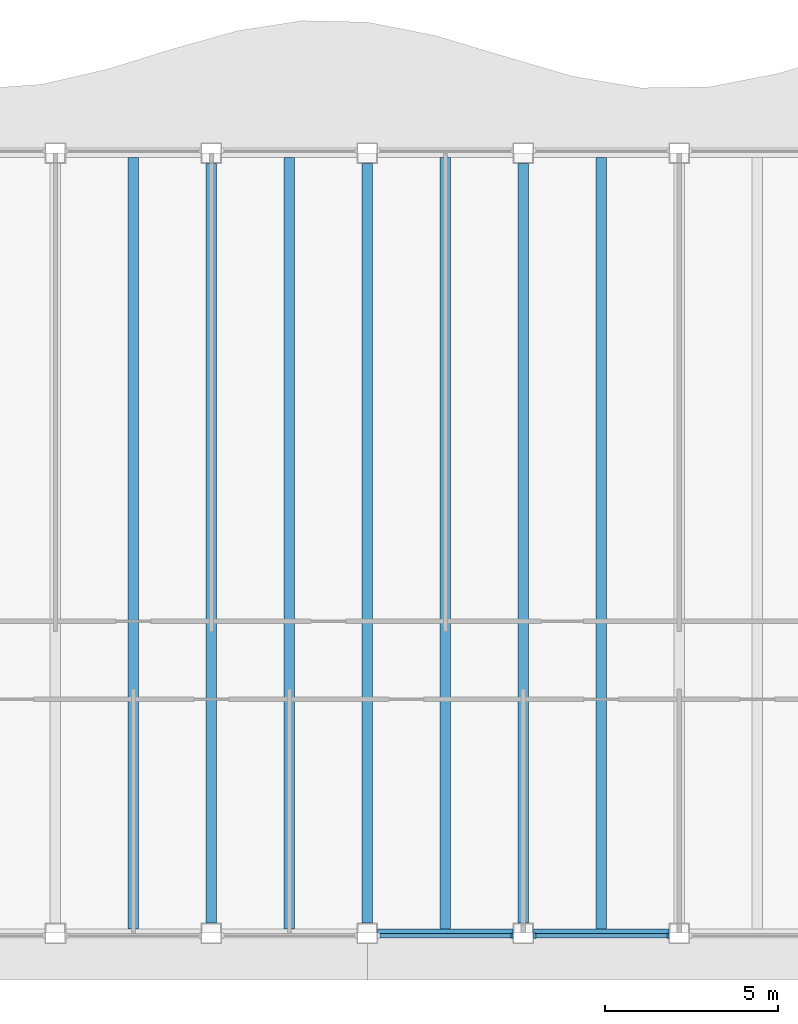
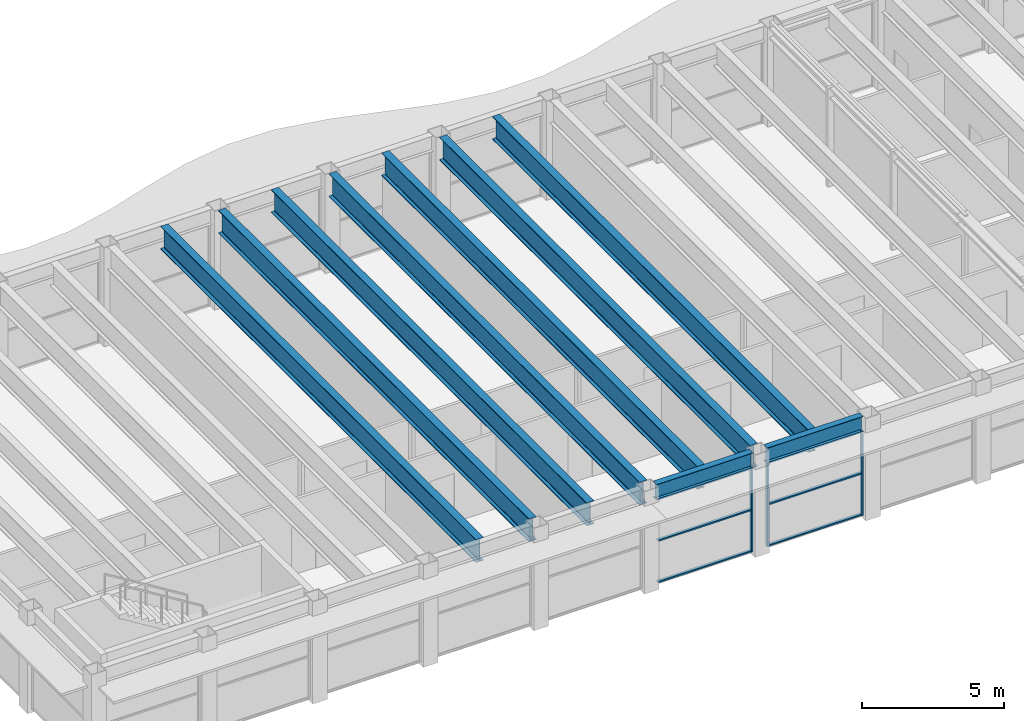
# One storey, part 3 of 15: 9 beams, 9 members, 2 elements without a shape of their own.
"""IFC4 building model written with IfcOpenShell, lengths in metres."""

from ifc_helpers import new_model, si_unit, direction, frame, origin, origin_2d, place, context, subcontext, project, spatial, rectangle, i_section, extrude, material, material_profile, profile_set, type_object, element, aggregate, save


model = new_model("IFC4")

# Units and contexts
model_context = context("Model", 3, precision=1e-05, world=origin(), true_north=direction((0.0, 1.0)))
body_context = subcontext(model_context, "Body", "Model", "MODEL_VIEW")
ifc_project = project(units=[si_unit("LENGTHUNIT", "METRE"), si_unit("AREAUNIT", "SQUARE_METRE"), si_unit("VOLUMEUNIT", "CUBIC_METRE"), si_unit("PLANEANGLEUNIT", "RADIAN"), si_unit("MASSUNIT", "GRAM", prefix="KILO")], contexts=[model_context])

# Site, building, storey
site_placement = place(None, origin())
site = spatial("IfcSite", under=ifc_project, at=site_placement, CompositionType="ELEMENT")
building_placement = place(site_placement, origin())
building = spatial("IfcBuilding", under=site, at=building_placement, Name="Sennacour Bend Tower", CompositionType="ELEMENT")
storey_placement = place(building_placement, frame((0.0, 0.0, 341.0)))
storey = spatial("IfcBuildingStorey", under=building, at=storey_placement, Name="L78", CompositionType="ELEMENT", Elevation=341.0)

# Curtain wall, member
ifc_material_1 = material(Name="Bronze anodised aluminium curtain wall with clear glass", Category="aluminium")
curtain_wall_type = type_object("IfcCurtainWallType", Name="CURTAIN WALL EXEC", PredefinedType="NOTDEFINED", material=ifc_material_1)
curtain_wall_1_placement = place(storey_placement, origin())
curtain_wall_1 = element("IfcCurtainWall", 1, at=curtain_wall_1_placement, inside=storey, type_object=curtain_wall_type, Name="Executive floor glass wall L78", PredefinedType="NOTDEFINED")
ifc_material_2 = material(Name="Aluminium 6063-T6", Category="aluminium")
ifc_material_profile_1 = material_profile(ifc_material_2, rectangle(XDim=0.14990234375, YDim=0.06005859375, at=origin_2d()), Name="Aluminium 6063-T6", Category="aluminium")
ifc_profile_set_1 = profile_set([ifc_material_profile_1], Name="Aluminium 6063-T6")
member_type_1 = type_object("IfcMemberType", Name="CW-MULLION-150X60", PredefinedType="MULLION", material=ifc_profile_set_1)
member_1_placement = place(storey_placement, frame((26.669921875, -0.074951171875, 0.0), z_axis=(0.0, 0.0, 1.0), x_axis=(0.0, 1.0, 0.0)))
member_1 = element("IfcMember", 2, at=member_1_placement, type_object=member_type_1, Name="GW3 curtain wall mullion 2", PredefinedType="MULLION", context=body_context, shape_type="SweptSolid", body=[
    extrude(rectangle(XDim=0.14990234375, YDim=0.06005859375, at=origin_2d()), origin(), (0.0, 0.0, 1.0), 3.6220703125),
])

# Curtain wall, members
curtain_wall_2_placement = place(storey_placement, origin())
curtain_wall_2 = element("IfcCurtainWall", 3, at=curtain_wall_2_placement, inside=storey, type_object=curtain_wall_type, Name="Executive floor glass wall L78", PredefinedType="NOTDEFINED")
member_2_placement = place(storey_placement, frame((27.330078125, -0.074951171875, 0.0), z_axis=(0.0, 0.0, 1.0), x_axis=(0.0, 1.0, 0.0)))
member_2 = element("IfcMember", 4, at=member_2_placement, type_object=member_type_1, Name="GW3 curtain wall mullion 1", PredefinedType="MULLION", context=body_context, shape_type="SweptSolid", body=[
    extrude(rectangle(XDim=0.14990234375, YDim=0.06005859375, at=origin_2d()), origin(), (0.0, 0.0, 1.0), 3.6220703125),
])
member_3_placement = place(storey_placement, frame((31.169921875, -0.074951171875, 0.0), z_axis=(0.0, 0.0, 1.0), x_axis=(0.0, 1.0, 0.0)))
member_3 = element("IfcMember", 5, at=member_3_placement, type_object=member_type_1, Name="GW3 curtain wall mullion 2", PredefinedType="MULLION", context=body_context, shape_type="SweptSolid", body=[
    extrude(rectangle(XDim=0.14990234375, YDim=0.06005859375, at=origin_2d()), origin(), (0.0, 0.0, 1.0), 3.6220703125),
])

# Member
ifc_material_profile_2 = material_profile(ifc_material_2, rectangle(XDim=0.1201171875, YDim=0.06005859375, at=origin_2d()), Name="Aluminium 6063-T6", Category="aluminium")
ifc_profile_set_2 = profile_set([ifc_material_profile_2], Name="Aluminium 6063-T6")
member_type_2 = type_object("IfcMemberType", Name="CW-TRANSOM-120X60", PredefinedType="USERDEFINED", material=ifc_profile_set_2)
member_4_placement = place(storey_placement, frame((22.860107421875, -0.074951171875, 0.030029296875), z_axis=(1.0, 0.0, 0.0), x_axis=(0.0, 1.0, 0.0)))
member_4 = element("IfcMember", 6, at=member_4_placement, type_object=member_type_2, Name="GW3 curtain wall transom 1.1", ObjectType="TRANSOM", PredefinedType="USERDEFINED", context=body_context, shape_type="SweptSolid", body=[
    extrude(rectangle(XDim=0.1201171875, YDim=0.06005859375, at=origin_2d()), origin(), (0.0, 0.0, 1.0), 3.77978515625),
])

member_5_placement = place(storey_placement, frame((22.860107421875, -0.074951171875, 1.81103515625), z_axis=(1.0, 0.0, 0.0), x_axis=(0.0, 1.0, 0.0)))
member_5 = element("IfcMember", 7, at=member_5_placement, type_object=member_type_2, Name="GW3 curtain wall transom 1.2", ObjectType="TRANSOM", PredefinedType="USERDEFINED", context=body_context, shape_type="SweptSolid", body=[
    extrude(rectangle(XDim=0.1201171875, YDim=0.06005859375, at=origin_2d()), origin(), (0.0, 0.0, 1.0), 3.77978515625),
])

member_6_placement = place(storey_placement, frame((22.860107421875, -0.074951171875, 3.592041015625), z_axis=(1.0, 0.0, 0.0), x_axis=(0.0, 1.0, 0.0)))
member_6 = element("IfcMember", 8, at=member_6_placement, type_object=member_type_2, Name="GW3 curtain wall transom 1.3", ObjectType="TRANSOM", PredefinedType="USERDEFINED", context=body_context, shape_type="SweptSolid", body=[
    extrude(rectangle(XDim=0.1201171875, YDim=0.06005859375, at=origin_2d()), origin(), (0.0, 0.0, 1.0), 3.77978515625),
])

aggregate(curtain_wall_1, [member_1, member_4, member_5, member_6])

member_7_placement = place(storey_placement, frame((27.360107421875, -0.074951171875, 0.030029296875), z_axis=(1.0, 0.0, 0.0), x_axis=(0.0, 1.0, 0.0)))
member_7 = element("IfcMember", 9, at=member_7_placement, type_object=member_type_2, Name="GW3 curtain wall transom 1.1", ObjectType="TRANSOM", PredefinedType="USERDEFINED", context=body_context, shape_type="SweptSolid", body=[
    extrude(rectangle(XDim=0.1201171875, YDim=0.06005859375, at=origin_2d()), origin(), (0.0, 0.0, 1.0), 3.77978515625),
])

member_8_placement = place(storey_placement, frame((27.360107421875, -0.074951171875, 1.81103515625), z_axis=(1.0, 0.0, 0.0), x_axis=(0.0, 1.0, 0.0)))
member_8 = element("IfcMember", 10, at=member_8_placement, type_object=member_type_2, Name="GW3 curtain wall transom 1.2", ObjectType="TRANSOM", PredefinedType="USERDEFINED", context=body_context, shape_type="SweptSolid", body=[
    extrude(rectangle(XDim=0.1201171875, YDim=0.06005859375, at=origin_2d()), origin(), (0.0, 0.0, 1.0), 3.77978515625),
])

member_9_placement = place(storey_placement, frame((27.360107421875, -0.074951171875, 3.592041015625), z_axis=(1.0, 0.0, 0.0), x_axis=(0.0, 1.0, 0.0)))
member_9 = element("IfcMember", 11, at=member_9_placement, type_object=member_type_2, Name="GW3 curtain wall transom 1.3", ObjectType="TRANSOM", PredefinedType="USERDEFINED", context=body_context, shape_type="SweptSolid", body=[
    extrude(rectangle(XDim=0.1201171875, YDim=0.06005859375, at=origin_2d()), origin(), (0.0, 0.0, 1.0), 3.77978515625),
])

aggregate(curtain_wall_2, [member_2, member_3, member_7, member_8, member_9])

# Beams
ifc_material_3 = material(Name="Steel ASTM A992 Grade 50", Category="steel")
ifc_material_profile_3 = material_profile(ifc_material_3, i_section(OverallWidth=0.300048828125, OverallDepth=0.990966796875, WebThickness=0.0166015625, FlangeThickness=0.030517578125, FilletRadius=0.030029296875, at=origin_2d()), Name="Steel ASTM A992 Grade 50", Category="steel")
ifc_profile_set_3 = profile_set([ifc_material_profile_3], Name="Steel ASTM A992 Grade 50")
beam_type_1 = type_object("IfcBeamType", Name="Floor beam W1000X272", PredefinedType="BEAM", material=ifc_profile_set_3)
beam_1_placement = place(storey_placement, frame((15.75, 0.126953125, 3.75439453125), z_axis=(0.0, 1.0, 0.0), x_axis=(-1.0, 0.0, 0.0)))
element("IfcBeam", 12, at=beam_1_placement, inside=storey, type_object=beam_type_1, Name="Floor beam FBM3 L79-007", PredefinedType="BEAM", context=body_context, shape_type="SweptSolid", body=[
    extrude(i_section(OverallWidth=0.300048828125, OverallDepth=0.990966796875, WebThickness=0.0166015625, FlangeThickness=0.030517578125, FilletRadius=0.030029296875, at=origin_2d()), origin(), (0.0, 0.0, 1.0), 22.24609375),
])
beam_2_placement = place(storey_placement, frame((18.0, 0.300048828125, 3.75439453125), z_axis=(0.0, 1.0, 0.0), x_axis=(-1.0, 0.0, 0.0)))
element("IfcBeam", 13, at=beam_2_placement, inside=storey, type_object=beam_type_1, Name="Floor beam FBM3 L79-008", PredefinedType="BEAM", context=body_context, shape_type="SweptSolid", body=[
    extrude(i_section(OverallWidth=0.300048828125, OverallDepth=0.990966796875, WebThickness=0.0166015625, FlangeThickness=0.030517578125, FilletRadius=0.030029296875, at=origin_2d()), origin(), (0.0, 0.0, 1.0), 21.89990234375),
])
beam_3_placement = place(storey_placement, frame((20.25, 0.126953125, 3.75439453125), z_axis=(0.0, 1.0, 0.0), x_axis=(-1.0, 0.0, 0.0)))
element("IfcBeam", 14, at=beam_3_placement, inside=storey, type_object=beam_type_1, Name="Floor beam FBM3 L79-009", PredefinedType="BEAM", context=body_context, shape_type="SweptSolid", body=[
    extrude(i_section(OverallWidth=0.300048828125, OverallDepth=0.990966796875, WebThickness=0.0166015625, FlangeThickness=0.030517578125, FilletRadius=0.030029296875, at=origin_2d()), origin(), (0.0, 0.0, 1.0), 22.24609375),
])
beam_4_placement = place(storey_placement, frame((22.5, 0.300048828125, 3.75439453125), z_axis=(0.0, 1.0, 0.0), x_axis=(-1.0, 0.0, 0.0)))
element("IfcBeam", 15, at=beam_4_placement, inside=storey, type_object=beam_type_1, Name="Floor beam FBM3 L79-010", PredefinedType="BEAM", context=body_context, shape_type="SweptSolid", body=[
    extrude(i_section(OverallWidth=0.300048828125, OverallDepth=0.990966796875, WebThickness=0.0166015625, FlangeThickness=0.030517578125, FilletRadius=0.030029296875, at=origin_2d()), origin(), (0.0, 0.0, 1.0), 21.89990234375),
])
beam_5_placement = place(storey_placement, frame((24.75, 0.126953125, 3.75439453125), z_axis=(0.0, 1.0, 0.0), x_axis=(-1.0, 0.0, 0.0)))
element("IfcBeam", 16, at=beam_5_placement, inside=storey, type_object=beam_type_1, Name="Floor beam FBM3 L79-011", PredefinedType="BEAM", context=body_context, shape_type="SweptSolid", body=[
    extrude(i_section(OverallWidth=0.300048828125, OverallDepth=0.990966796875, WebThickness=0.0166015625, FlangeThickness=0.030517578125, FilletRadius=0.030029296875, at=origin_2d()), origin(), (0.0, 0.0, 1.0), 22.24609375),
])
beam_6_placement = place(storey_placement, frame((27.0, 0.300048828125, 3.75439453125), z_axis=(0.0, 1.0, 0.0), x_axis=(-1.0, 0.0, 0.0)))
element("IfcBeam", 17, at=beam_6_placement, inside=storey, type_object=beam_type_1, Name="Floor beam FBM3 L79-012", PredefinedType="BEAM", context=body_context, shape_type="SweptSolid", body=[
    extrude(i_section(OverallWidth=0.300048828125, OverallDepth=0.990966796875, WebThickness=0.0166015625, FlangeThickness=0.030517578125, FilletRadius=0.030029296875, at=origin_2d()), origin(), (0.0, 0.0, 1.0), 21.89990234375),
])
beam_7_placement = place(storey_placement, frame((29.25, 0.126953125, 3.75439453125), z_axis=(0.0, 1.0, 0.0), x_axis=(-1.0, 0.0, 0.0)))
element("IfcBeam", 18, at=beam_7_placement, inside=storey, type_object=beam_type_1, Name="Floor beam FBM3 L79-013", PredefinedType="BEAM", context=body_context, shape_type="SweptSolid", body=[
    extrude(i_section(OverallWidth=0.300048828125, OverallDepth=0.990966796875, WebThickness=0.0166015625, FlangeThickness=0.030517578125, FilletRadius=0.030029296875, at=origin_2d()), origin(), (0.0, 0.0, 1.0), 22.24609375),
])
ifc_material_profile_4 = material_profile(ifc_material_3, i_section(OverallWidth=0.25390625, OverallDepth=0.677978515625, WebThickness=0.01171875, FlangeThickness=0.016357421875, FilletRadius=0.01513671875, at=origin_2d()), Name="Steel ASTM A992 Grade 50", Category="steel")
ifc_profile_set_4 = profile_set([ifc_material_profile_4], Name="Steel ASTM A992 Grade 50")
beam_type_2 = type_object("IfcBeamType", Name="Spandrel beam W690X125", PredefinedType="SPANDREL", material=ifc_profile_set_4)
for number, where, z_axis, x_axis, name in (
    (19, (31.199951171875, 0.0, 3.910888671875), (-1.0, 0.0, 0.0), (0.0, -1.0, 0.0), "Spandrel beam SP7 L79-012"),
    (20, (26.699951171875, 0.0, 3.910888671875), (-1.0, 0.0, 0.0), (0.0, -1.0, 0.0), "Spandrel beam SP7 L79-013"),
):
    element("IfcBeam", number, at=place(storey_placement, frame(where, z_axis=z_axis, x_axis=x_axis)), inside=storey, type_object=beam_type_2, Name=name, PredefinedType="SPANDREL", context=body_context, shape_type="SweptSolid", body=[
        extrude(i_section(OverallWidth=0.25390625, OverallDepth=0.677978515625, WebThickness=0.01171875, FlangeThickness=0.016357421875, FilletRadius=0.01513671875, at=origin_2d()), origin(), (0.0, 0.0, 1.0), 3.89990234375),
    ])

save(model, "model.ifc")
